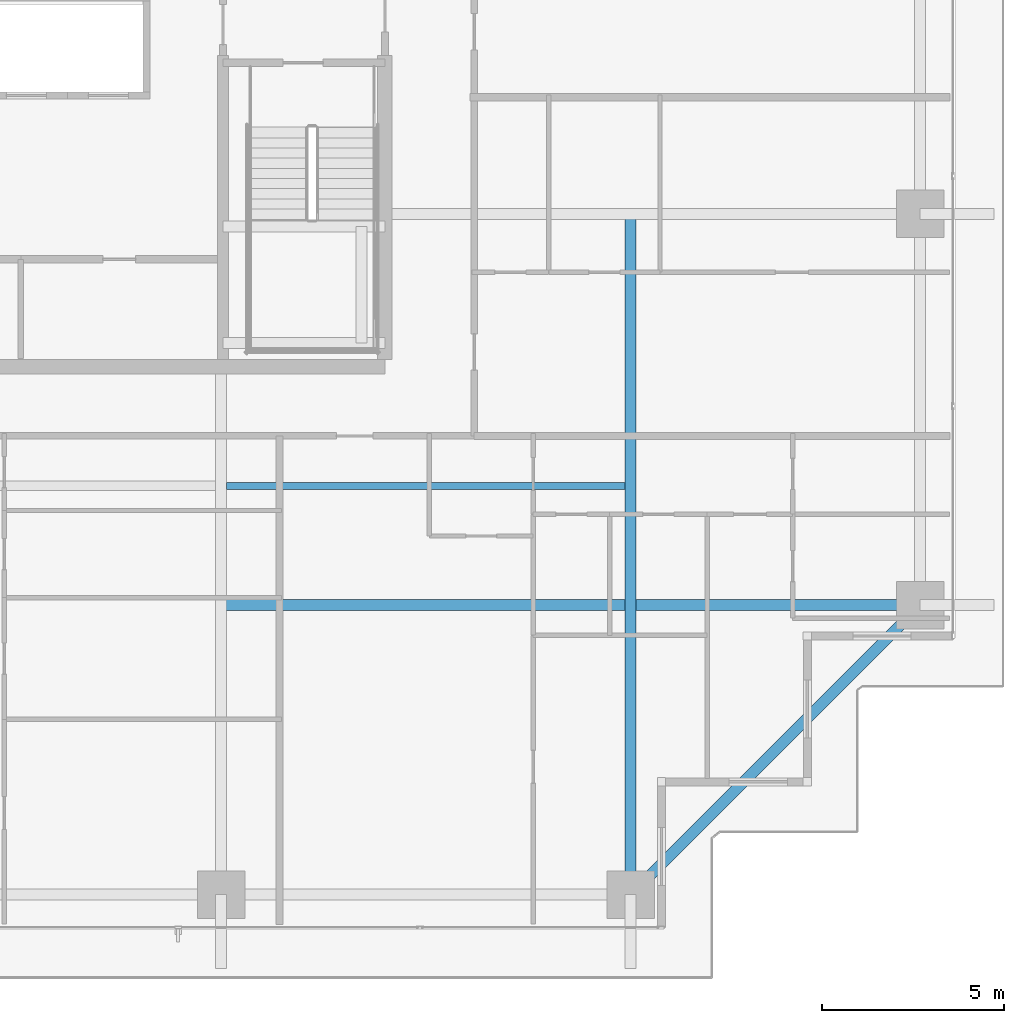
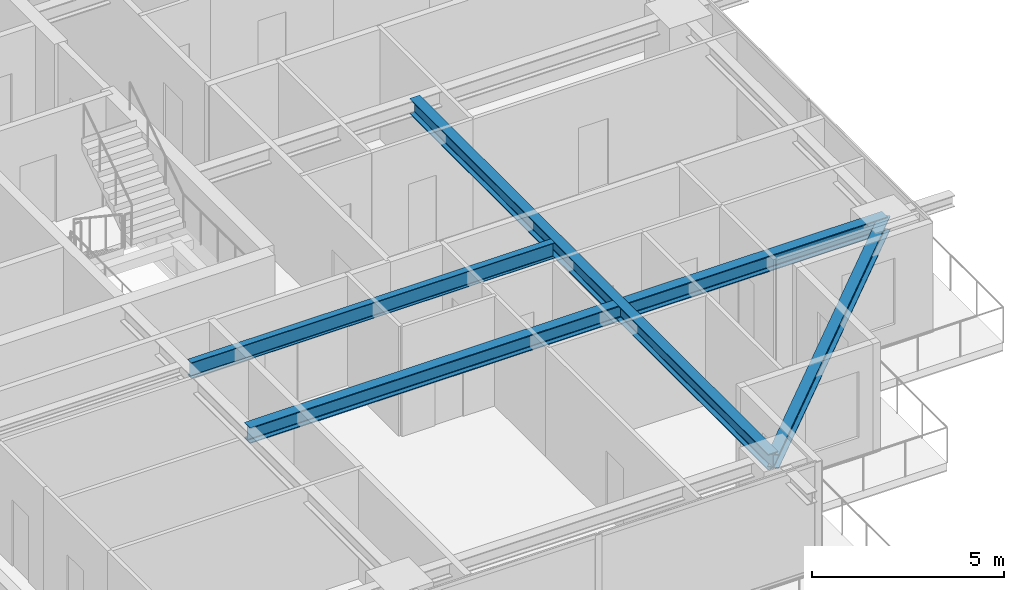
# One storey, part 12 of 39: 4 beams.
"""IFC4 building model written with IfcOpenShell, lengths in metres."""

from ifc_helpers import new_model, si_unit, direction, frame, origin, origin_2d, place, context, subcontext, project, spatial, i_section, extrude, source, transform, mapped, material, material_profile, profile_set, type_object, element, save


model = new_model("IFC4")

# Units and contexts
model_context = context("Model", 3, precision=1e-05, world=origin(), true_north=direction((0.0, 1.0)))
body_context = subcontext(model_context, "Body", "Model", "MODEL_VIEW")
ifc_project = project(units=[si_unit("LENGTHUNIT", "METRE"), si_unit("AREAUNIT", "SQUARE_METRE"), si_unit("VOLUMEUNIT", "CUBIC_METRE"), si_unit("PLANEANGLEUNIT", "RADIAN"), si_unit("MASSUNIT", "GRAM", prefix="KILO")], contexts=[model_context])

# Site, building, storey
site_placement = place(None, origin())
site = spatial("IfcSite", under=ifc_project, at=site_placement, CompositionType="ELEMENT")
building_placement = place(site_placement, origin())
building = spatial("IfcBuilding", under=site, at=building_placement, Name="Serunith Strait Residences", CompositionType="ELEMENT")
storey_placement = place(building_placement, frame((0.0, 0.0, 123.89990234375)))
storey = spatial("IfcBuildingStorey", under=building, at=storey_placement, Name="L30", CompositionType="ELEMENT", Elevation=123.89990234375)

# Beams
ifc_material = material(Name="Steel S355J2", Category="steel")
ifc_material_profile_1 = material_profile(ifc_material, i_section(OverallWidth=0.300048828125, OverallDepth=0.5, WebThickness=0.014404296875, FlangeThickness=0.028076171875, FilletRadius=0.027099609375, at=origin_2d()), Name="HEB 500")
ifc_profile_set_1 = profile_set([ifc_material_profile_1], Name="Steel S355J2")
beam_type_1 = type_object("IfcBeamType", Name="BM-HEB500", PredefinedType="BEAM", material=ifc_profile_set_1)
shared_shape_1 = source(origin(), body_context, "Body", "SweptSolid", [
    extrude(i_section(OverallWidth=0.300048828125, OverallDepth=0.5, WebThickness=0.014404296875, FlangeThickness=0.028076171875, FilletRadius=0.027099609375, at=origin_2d()), origin(), (0.0, 0.0, 1.0), 18.699951171875),
])
beam_1_placement = place(storey_placement, frame((48.14990234375, 21.0, 3.237060546875), z_axis=(0.0, -1.0, 0.0), x_axis=(1.0, 0.0, 0.0)))
element("IfcBeam", 1, at=beam_1_placement, inside=storey, type_object=beam_type_1, Name="L30 Orthogonal Corner Girder TC-S4", PredefinedType="BEAM", context=body_context, shape_type="MappedRepresentation", body=[
    mapped(shared_shape_1, transform((0.0, 0.0, 0.0), scale=1.0)),
])
shared_shape_2 = source(origin(), body_context, "Body", "SweptSolid", [
    extrude(i_section(OverallWidth=0.300048828125, OverallDepth=0.5, WebThickness=0.014404296875, FlangeThickness=0.028076171875, FilletRadius=0.027099609375, at=origin_2d()), origin(), (0.0, 0.0, 1.0), 19.2001953125),
])
beam_2_placement = place(storey_placement, frame((36.89990234375, 10.25, 3.237060546875), z_axis=(1.0, 0.0, 0.0), x_axis=(0.0, 1.0, 0.0)))
element("IfcBeam", 2, at=beam_2_placement, inside=storey, type_object=beam_type_1, Name="L30 Orthogonal Corner Girder TC-E1", PredefinedType="BEAM", context=body_context, shape_type="MappedRepresentation", body=[
    mapped(shared_shape_2, transform((0.0, 0.0, 0.0), scale=1.0)),
])
ifc_material_profile_2 = material_profile(ifc_material, i_section(OverallWidth=0.300048828125, OverallDepth=0.449951171875, WebThickness=0.013916015625, FlangeThickness=0.02587890625, FilletRadius=0.027099609375, at=origin_2d()), Name="HEB 450")
ifc_profile_set_2 = profile_set([ifc_material_profile_2], Name="Steel S355J2")
beam_type_2 = type_object("IfcBeamType", Name="BM-HEB450", PredefinedType="BEAM", material=ifc_profile_set_2)
shared_shape_3 = source(origin(), body_context, "Body", "SweptSolid", [
    extrude(i_section(OverallWidth=0.300048828125, OverallDepth=0.449951171875, WebThickness=0.013916015625, FlangeThickness=0.02587890625, FilletRadius=0.027099609375, at=origin_2d()), origin(), (0.0, 0.0, 1.0), 11.2431640625),
])
beam_3_placement = place(storey_placement, frame((48.14990234375, 2.300048828125, 3.232177734375), z_axis=(0.707117638455, 0.707095923751, 0.0), x_axis=(-0.707095923751, 0.707117638455, 0.0)))
element("IfcBeam", 3, at=beam_3_placement, inside=storey, type_object=beam_type_2, Name="L30 Perimeter Ring Beam 04", PredefinedType="BEAM", context=body_context, shape_type="MappedRepresentation", body=[
    mapped(shared_shape_3, transform((0.0, 0.0, 0.0), scale=1.0)),
])
ifc_material_profile_3 = material_profile(ifc_material, i_section(OverallWidth=0.199951171875, OverallDepth=0.5, WebThickness=0.01025390625, FlangeThickness=0.01611328125, FilletRadius=0.02099609375, at=origin_2d()), Name="IPE 500")
ifc_profile_set_3 = profile_set([ifc_material_profile_3], Name="Steel S355J2")
beam_type_3 = type_object("IfcBeamType", Name="BM-IPE500", PredefinedType="JOIST", material=ifc_profile_set_3)
shared_shape_4 = source(origin(), body_context, "Body", "SweptSolid", [
    extrude(i_section(OverallWidth=0.199951171875, OverallDepth=0.5, WebThickness=0.01025390625, FlangeThickness=0.01611328125, FilletRadius=0.02099609375, at=origin_2d()), origin(), (0.0, 0.0, 1.0), 10.949951171875),
])
beam_4_placement = place(storey_placement, frame((37.050048828125, 13.52490234375, 3.237060546875), z_axis=(1.0, 0.0, 0.0), x_axis=(0.0, 1.0, 0.0)))
element("IfcBeam", 4, at=beam_4_placement, inside=storey, type_object=beam_type_3, Name="L30 Composite Floor Joist 03", PredefinedType="JOIST", context=body_context, shape_type="MappedRepresentation", body=[
    mapped(shared_shape_4, transform((0.0, 0.0, 0.0), scale=1.0)),
])

save(model, "model.ifc")
